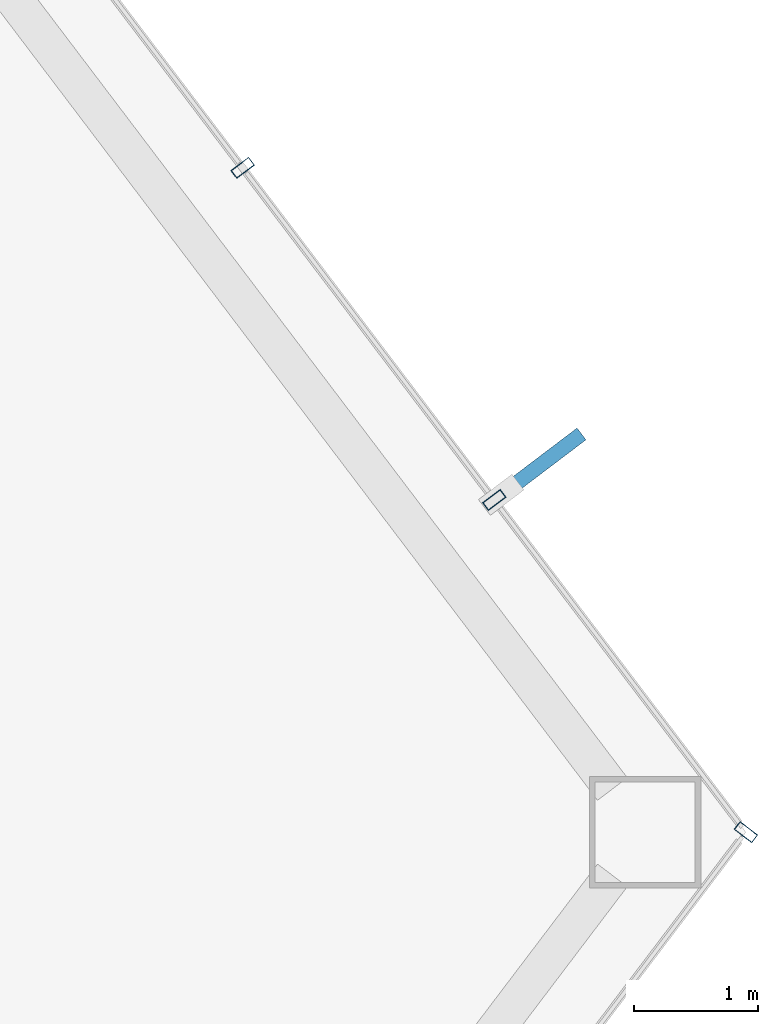
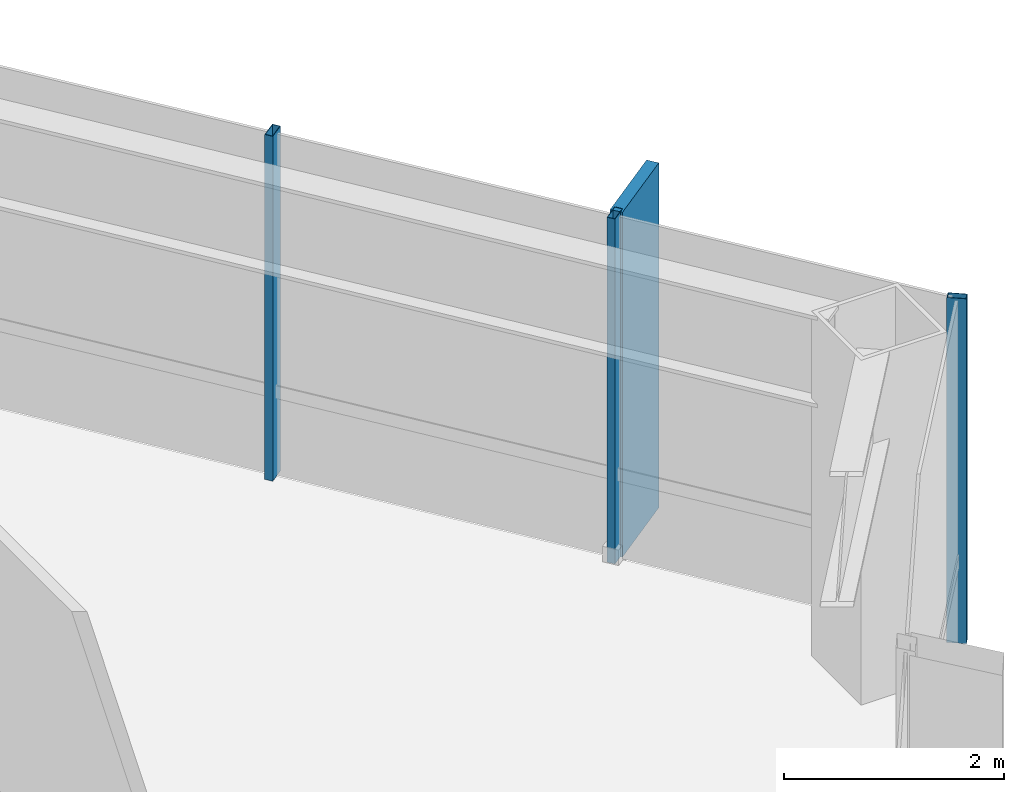
# One storey, part 17 of 24: 4 members, 2 elements without a shape of their own.
"""IFC4 building model written with IfcOpenShell, lengths in metres."""

import ifcopenshell
import ifcopenshell.guid

model = None  # the IFC model being written
_history = None  # IfcOwnerHistory: only IFC2X3 demands one
_inside = {}  # id of a spatial element -> (the spatial element, [elements in it])
_under = {}  # id of a project, library or spatial element -> (it, [spatial elements below it])
_declared = {}  # id of a project -> (the project, [libraries it declares])
_typed = {}  # id of a type object -> (the type object, [elements of that type])
_made_of = {}  # id of a material, layer set ... -> (it, [elements and type objects made of it])


def new_model(schema):
    """Start an empty IFC model of exactly this schema.

    Asked for "IFC4X3", IfcOpenShell would pick the latest addendum, in which some entities
    have other attributes; the version numbers below select the first issue.
    IFC2X3 requires an IfcOwnerHistory on every rooted entity: one is made here for all.
    """
    global model, _history
    if schema == "IFC4X3":
        model = ifcopenshell.file(schema_version=(4, 3, 0, 0))
    else:
        model = ifcopenshell.file(schema=schema)
    _inside.clear()
    _under.clear()
    _declared.clear()
    _typed.clear()
    _made_of.clear()
    _history = None
    if model.schema == "IFC2X3":
        org = make("IfcOrganization", Name="unknown")
        user = make(
            "IfcPersonAndOrganization",
            ThePerson=make("IfcPerson", FamilyName="unknown"),
            TheOrganization=org,
        )
        app = make(
            "IfcApplication",
            ApplicationDeveloper=org,
            Version="unknown",
            ApplicationFullName="unknown",
            ApplicationIdentifier="unknown",
        )
        _history = make(
            "IfcOwnerHistory",
            OwningUser=user,
            OwningApplication=app,
            ChangeAction="ADDED",
            CreationDate=0,
        )
    return model


def make(cls, **values):
    """One entity of the class cls with the attributes given. An attribute that is None is left unset."""
    return model.create_entity(
        cls, **{name: value for name, value in values.items() if value is not None}
    )


def rooted(cls, **values):
    """An entity with a GlobalId (a new one), such as an element, a storey or a relation."""
    return make(cls, GlobalId=ifcopenshell.guid.new(), OwnerHistory=_history, **values)


def si_unit(unit_type, name, prefix=None):
    """IfcSIUnit, for example si_unit("LENGTHUNIT", "METRE", prefix="MILLI")."""
    return make("IfcSIUnit", UnitType=unit_type, Prefix=prefix, Name=name)


def assignment(units):
    """IfcUnitAssignment: the units of a project."""
    return None if units is None else make("IfcUnitAssignment", Units=units)


def point(xyz):
    """IfcCartesianPoint."""
    return None if xyz is None else make("IfcCartesianPoint", Coordinates=xyz)


def direction(xyz):
    """IfcDirection."""
    return None if xyz is None else make("IfcDirection", DirectionRatios=xyz)


def frame(location, z_axis=None, x_axis=None):
    """IfcAxis2Placement3D, a coordinate frame: its origin and axes. An axis left out is left unset."""
    return make(
        "IfcAxis2Placement3D",
        Location=point(location),
        Axis=direction(z_axis),
        RefDirection=direction(x_axis),
    )


def frame_2d(location, x_axis=None):
    """IfcAxis2Placement2D, a coordinate frame in the plane: its origin and x axis."""
    return make(
        "IfcAxis2Placement2D", Location=point(location), RefDirection=direction(x_axis)
    )


def origin():
    """The frame at (0, 0, 0) with its axes left unset."""
    return frame((0.0, 0.0, 0.0))


def origin_2d():
    """The frame at (0, 0) in the plane with its x axis left unset."""
    return frame_2d((0.0, 0.0))


def place(relative_to, where):
    """IfcLocalPlacement: puts the frame where relative to a parent placement (None: the world)."""
    return make(
        "IfcLocalPlacement", PlacementRelTo=relative_to, RelativePlacement=where
    )


def context(
    kind, dimensions, precision=None, world=None, true_north=None, identifier=None
):
    """IfcGeometricRepresentationContext, for example the 3D "Model" context."""
    return make(
        "IfcGeometricRepresentationContext",
        ContextIdentifier=identifier,
        ContextType=kind,
        CoordinateSpaceDimension=dimensions,
        Precision=precision,
        WorldCoordinateSystem=world,
        TrueNorth=true_north,
    )


def subcontext(parent, identifier, kind, view, scale=None):
    """IfcGeometricRepresentationSubContext, for example "Body" below "Model"."""
    return make(
        "IfcGeometricRepresentationSubContext",
        ContextIdentifier=identifier,
        ContextType=kind,
        ParentContext=parent,
        TargetScale=scale,
        TargetView=view,
    )


def project(units=None, contexts=None):
    """IfcProject with its units and contexts."""
    return rooted(
        "IfcProject",
        Name="project",
        RepresentationContexts=contexts,
        UnitsInContext=assignment(units),
    )


def spatial(cls, under=None, at=None, **own):
    """A site, building, storey or space (cls), placed at a placement, below another one or the project."""
    s = rooted(cls, ObjectPlacement=at, **own)
    if under is not None:
        _under.setdefault(under.id(), (under, []))[1].append(s)
    return s


def profile(cls, at=None, kind="AREA", **sizes):
    """A parametric profile (cls). Its sizes go by their IFC names, for example OverallWidth=200.0."""
    return make(cls, ProfileType=kind, Position=at, **sizes)


def rectangle(**sizes):
    """IfcRectangleProfileDef."""
    return profile("IfcRectangleProfileDef", **sizes)


def hollow_rectangle(**sizes):
    """IfcRectangleHollowProfileDef."""
    return profile("IfcRectangleHollowProfileDef", **sizes)


def extrude(swept, where, along, depth):
    """IfcExtrudedAreaSolid: the profile swept, set in the frame where, extruded along a direction by depth."""
    return make(
        "IfcExtrudedAreaSolid",
        SweptArea=swept,
        Position=where,
        ExtrudedDirection=direction(along),
        Depth=depth,
    )


def shape(context_of_items, identifier, shape_type, items):
    """IfcShapeRepresentation: the items that make up one representation, for example the "Body"."""
    return make(
        "IfcShapeRepresentation",
        ContextOfItems=context_of_items,
        RepresentationIdentifier=identifier,
        RepresentationType=shape_type,
        Items=items,
    )


def material(Name=None, Category=None):
    """IfcMaterial."""
    return make("IfcMaterial", Name=Name, Category=Category)


def layer(
    of_material, thickness, ventilated=None, Name=None, Category=None, Priority=None
):
    """IfcMaterialLayer: one layer of a wall or slab, of a material (None: an air gap)."""
    return make(
        "IfcMaterialLayer",
        Material=of_material,
        LayerThickness=thickness,
        IsVentilated=ventilated,
        Name=Name,
        Category=Category,
        Priority=Priority,
    )


def layer_set(layers, Name=None):
    """IfcMaterialLayerSet."""
    return make("IfcMaterialLayerSet", MaterialLayers=layers, LayerSetName=Name)


def material_profile(
    of_material, cross_section, Name=None, Category=None, Priority=None
):
    """IfcMaterialProfile: a cross section and its material."""
    return make(
        "IfcMaterialProfile",
        Name=Name,
        Material=of_material,
        Profile=cross_section,
        Priority=Priority,
        Category=Category,
    )


def profile_set(profiles, Name=None, composite=None):
    """IfcMaterialProfileSet."""
    return make(
        "IfcMaterialProfileSet",
        Name=Name,
        MaterialProfiles=profiles,
        CompositeProfile=composite,
    )


def made_of(thing, what):
    """Note that an element or type object is made of a material, layer set ...; save() writes the relation."""
    if what is not None:
        _made_of.setdefault(what.id(), (what, []))[1].append(thing)
    return thing


def type_object(cls, material=None, **own):
    """A type object (cls), such as IfcWallType, which elements share."""
    return made_of(rooted(cls, **own), material)


def element(
    cls,
    number,
    at=None,
    inside=None,
    cuts=None,
    type_object=None,
    material=None,
    context=None,
    identifier="Body",
    shape_type=None,
    held_by="IfcProductDefinitionShape",
    body=None,
    shapes=None,
    **own,
):
    """One element of the class cls, such as IfcWall. Its Tag is "e" and its number.

    at: its placement. inside: the storey or other place that contains it. cuts: it is an
    opening in that element (IfcRelVoidsElement). A single representation is given by context,
    identifier, shape_type and body (its items); several are given by shapes. held_by: the class
    of the entity that holds the representations. save() writes the other relations.
    """
    e = rooted(cls, Tag="e%d" % number, ObjectPlacement=at, **own)
    if body is not None:
        shapes = [shape(context, identifier, shape_type, body)]
    if shapes is not None:
        e.Representation = make(held_by, Representations=shapes)
    if inside is not None:
        _inside.setdefault(inside.id(), (inside, []))[1].append(e)
    if cuts is not None:
        rooted(
            "IfcRelVoidsElement", RelatingBuildingElement=cuts, RelatedOpeningElement=e
        )
    if type_object is not None:
        _typed.setdefault(type_object.id(), (type_object, []))[1].append(e)
    return made_of(e, material)


def aggregate(whole, parts):
    """IfcRelAggregates: a whole, such as a stair, and the parts it consists of."""
    return rooted("IfcRelAggregates", RelatingObject=whole, RelatedObjects=parts)


def save(model, path):
    """Write the relations noted so far, then the file.

    IfcRelAggregates (storeys below a building ...), IfcRelContainedInSpatialStructure (elements
    in a storey), IfcRelDefinesByType, IfcRelAssociatesMaterial and IfcRelDeclares: one each for
    every whole, place, type object, material and project.
    """
    for whole, parts in _under.values():
        aggregate(whole, parts)
    for where, things in _inside.values():
        rooted(
            "IfcRelContainedInSpatialStructure",
            RelatedElements=things,
            RelatingStructure=where,
        )
    for kind, things in _typed.values():
        rooted("IfcRelDefinesByType", RelatedObjects=things, RelatingType=kind)
    for what, things in _made_of.values():
        rooted("IfcRelAssociatesMaterial", RelatedObjects=things, RelatingMaterial=what)
    for by, libraries in _declared.values():
        rooted("IfcRelDeclares", RelatingContext=by, RelatedDefinitions=libraries)
    model.write(path)


model = new_model("IFC4")

# Units and contexts
model_context = context("Model", 3, precision=1e-05, world=origin(), true_north=direction((0.0, 1.0)))
body_context = subcontext(model_context, "Body", "Model", "MODEL_VIEW")
ifc_project = project(units=[si_unit("LENGTHUNIT", "METRE"), si_unit("AREAUNIT", "SQUARE_METRE"), si_unit("VOLUMEUNIT", "CUBIC_METRE"), si_unit("PLANEANGLEUNIT", "RADIAN"), si_unit("MASSUNIT", "GRAM", prefix="KILO")], contexts=[model_context])

# Site, building, storey
site_placement = place(None, origin())
site = spatial("IfcSite", under=ifc_project, at=site_placement, CompositionType="ELEMENT")
building_placement = place(site_placement, origin())
building = spatial("IfcBuilding", under=site, at=building_placement, Name="Zarrinselat Tower", CompositionType="ELEMENT")
storey_placement = place(building_placement, frame((0.0, 0.0, 76.5)))
storey = spatial("IfcBuildingStorey", under=building, at=storey_placement, Name="L18", CompositionType="ELEMENT", Elevation=76.5)

# Curtain wall, member
ifc_material_1 = material(Name="Extruded Aluminium Alloy EN AW-6063 T6", Category="aluminium")
ifc_layer = layer(ifc_material_1, 0.18505859375)
ifc_layer_set = layer_set([ifc_layer], Name="Extruded Aluminium Alloy EN AW-6063 T6")
curtain_wall_type = type_object("IfcCurtainWallType", Name="CWS-OFF", PredefinedType="NOTDEFINED", material=ifc_layer_set)
curtain_wall_1_placement = place(storey_placement, origin())
curtain_wall_1 = element("IfcCurtainWall", 1, at=curtain_wall_1_placement, inside=storey, type_object=curtain_wall_type, Name="L18 Unitised Curtain Wall CW-L18-E05", PredefinedType="NOTDEFINED")
ifc_material_2 = material(Name="Extruded Aluminium Alloy EN AW-6063 T6", Category="aluminium")
ifc_material_profile_1 = material_profile(ifc_material_2, hollow_rectangle(XDim=0.080078125, YDim=0.179931640625, WallThickness=0.0048828125, at=origin_2d()), Name="RHS 180x80x5")
ifc_profile_set_1 = profile_set([ifc_material_profile_1], Name="Extruded Aluminium Alloy EN AW-6063 T6")
member_type_1 = type_object("IfcMemberType", Name="MEM-CW-MUL", PredefinedType="MULLION", material=ifc_profile_set_1)
member_1_placement = place(storey_placement, frame((61.95166015625, 36.301513671875, 0.0), z_axis=(0.0, 0.0, 1.0), x_axis=(0.603855086386, 0.797094119063, 0.0)))
member_1 = element("IfcMember", 2, at=member_1_placement, type_object=member_type_1, Name="CW-L18-E05 Mullion 6", PredefinedType="MULLION", context=body_context, shape_type="SweptSolid", body=[
    extrude(hollow_rectangle(XDim=0.080078125, YDim=0.179931640625, WallThickness=0.0048828125, at=origin_2d()), origin(), (0.0, 0.0, 1.0), 3.820068359375),
])
aggregate(curtain_wall_1, [member_1])

# Curtain wall, members
curtain_wall_2_placement = place(storey_placement, origin())
curtain_wall_2 = element("IfcCurtainWall", 3, at=curtain_wall_2_placement, inside=storey, type_object=curtain_wall_type, Name="L18 Unitised Curtain Wall CW-L18-E06", PredefinedType="NOTDEFINED")
member_2_placement = place(storey_placement, frame((59.91650390625, 38.98779296875, 0.0), z_axis=(0.0, 0.0, 1.0), x_axis=(-0.603856545426, 0.797093013736, 0.0)))
member_2 = element("IfcMember", 4, at=member_2_placement, type_object=member_type_1, Name="CW-L18-E06 Mullion 1", PredefinedType="MULLION", context=body_context, shape_type="SweptSolid", body=[
    extrude(hollow_rectangle(XDim=0.080078125, YDim=0.179931640625, WallThickness=0.0048828125, at=origin_2d()), origin(), (0.0, 0.0, 1.0), 3.820068359375),
])
member_3_placement = place(storey_placement, frame((57.881591796875, 41.67431640625, 0.0), z_axis=(0.0, 0.0, 1.0), x_axis=(-0.603856545426, 0.797093013736, 0.0)))
member_3 = element("IfcMember", 5, at=member_3_placement, type_object=member_type_1, Name="CW-L18-E06 Mullion 2", PredefinedType="MULLION", context=body_context, shape_type="SweptSolid", body=[
    extrude(hollow_rectangle(XDim=0.080078125, YDim=0.179931640625, WallThickness=0.0048828125, at=origin_2d()), origin(), (0.0, 0.0, 1.0), 3.820068359375),
])
ifc_material_3 = material(Name="Honed Cream Travertine Stone", Category="masonry")
ifc_material_profile_2 = material_profile(ifc_material_3, rectangle(XDim=0.1201171875, YDim=0.85009765625, at=origin_2d()), Name="FIN 850x120")
ifc_profile_set_2 = profile_set([ifc_material_profile_2], Name="Honed Cream Travertine Stone")
member_type_2 = type_object("IfcMemberType", Name="MEM-STONE-FIN", PredefinedType="USERDEFINED", material=ifc_profile_set_2)
member_4_placement = place(storey_placement, frame((60.283203125, 39.265625, 0.0), z_axis=(0.0, 0.0, 1.0), x_axis=(0.603856545426, -0.797093013736, 0.0)))
member_4 = element("IfcMember", 6, at=member_4_placement, type_object=member_type_2, Name="L18 Stone Shading Fin CW-L18-E06-01", ObjectType="FIN", PredefinedType="USERDEFINED", context=body_context, shape_type="SweptSolid", body=[
    extrude(rectangle(XDim=0.1201171875, YDim=0.85009765625, at=origin_2d()), origin(), (0.0, 0.0, 1.0), 3.820068359375),
])
aggregate(curtain_wall_2, [member_2, member_4, member_3])

save(model, "model.ifc")
